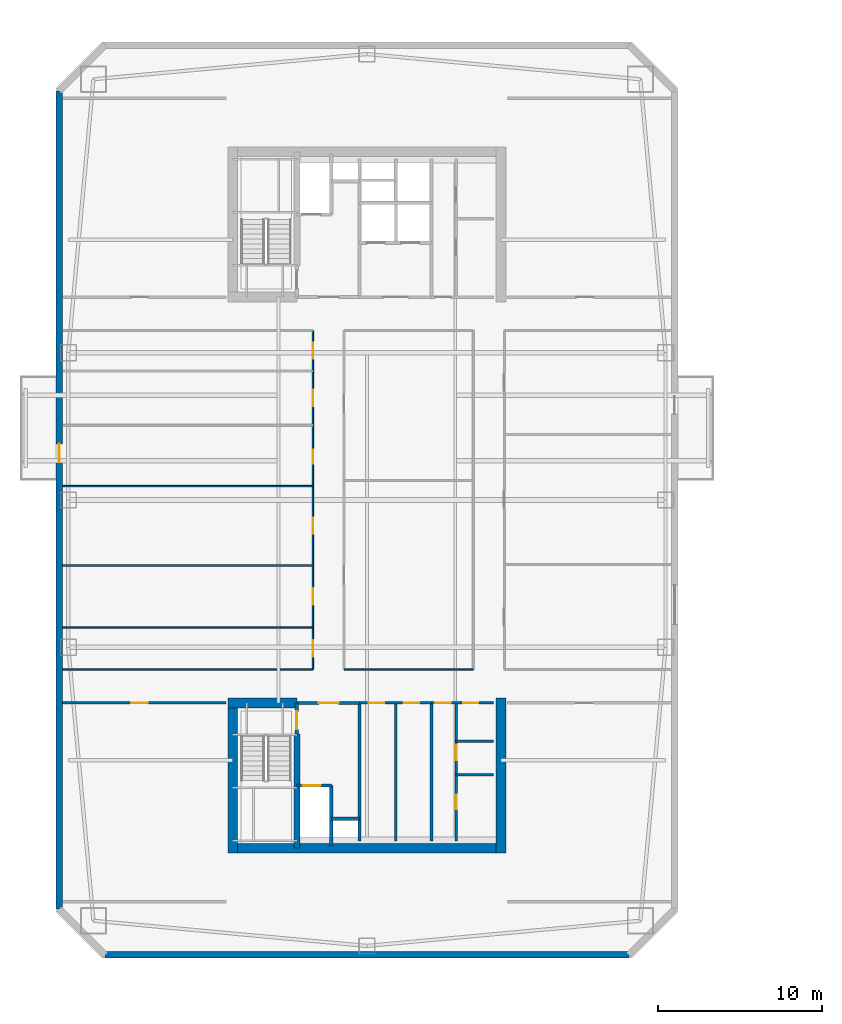
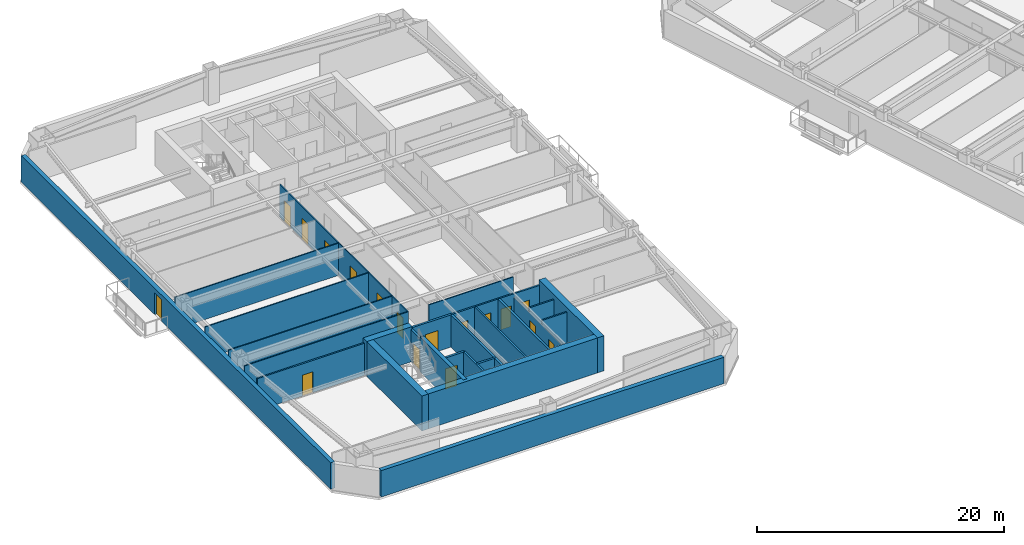
# One storey, part 4 of 15: 27 walls, 17 doors, 17 openings.
"""IFC4 building model written with IfcOpenShell, lengths in metres."""

from ifc_helpers import new_model, si_unit, direction, frame, frame_2d, origin, place, context, subcontext, project, spatial, rectangle, extrude, material, layer, layer_set, type_object, element, fill, save


model = new_model("IFC4")

# Units and contexts
model_context = context("Model", 3, precision=1e-05, world=origin(), true_north=direction((0.0, 1.0)))
body_context = subcontext(model_context, "Body", "Model", "MODEL_VIEW")
ifc_project = project(units=[si_unit("LENGTHUNIT", "METRE"), si_unit("AREAUNIT", "SQUARE_METRE"), si_unit("VOLUMEUNIT", "CUBIC_METRE"), si_unit("PLANEANGLEUNIT", "RADIAN"), si_unit("MASSUNIT", "GRAM", prefix="KILO")], contexts=[model_context])

# Site, building, storey
site_placement = place(None, origin())
site = spatial("IfcSite", under=ifc_project, at=site_placement, CompositionType="ELEMENT")
building_placement = place(site_placement, origin())
building = spatial("IfcBuilding", under=site, at=building_placement, Name="Qiaolan Cultural Towers", CompositionType="ELEMENT")
storey_placement = place(building_placement, frame((0.0, 0.0, 113.85009765625)))
storey = spatial("IfcBuildingStorey", under=building, at=storey_placement, Name="L29", CompositionType="ELEMENT", Elevation=113.85009765625)

# Walls
ifc_material_1 = material(Name="Concrete C50", Category="concrete")
ifc_layer_1 = layer(ifc_material_1, 0.35009765625)
ifc_layer_set_1 = layer_set([ifc_layer_1], Name="Concrete C50")
wall_type_1 = type_object("IfcWallType", Name="WL-CORE-350", PredefinedType="SHEAR", material=ifc_layer_set_1)
wall_1_placement = place(storey_placement, frame((25.719970703125, 19.699951171875, 0.0), z_axis=(0.0, 0.0, 1.0), x_axis=(0.0, -1.0, 0.0)))
element("IfcWall", 1, at=wall_1_placement, inside=storey, type_object=wall_type_1, Name="L29 T1-CS Stair Core Dividing Web", PredefinedType="SHEAR", context=body_context, shape_type="SweptSolid", body=[
    extrude(rectangle(XDim=6.97998046875, YDim=0.35009765625, at=frame_2d((3.489990234375, 0.0))), origin(), (0.0, 0.0, 1.0), 3.449951171875),
])
ifc_material_2 = material(Name="Concrete C55", Category="concrete")
ifc_layer_2 = layer(ifc_material_2, 0.60009765625)
ifc_layer_set_2 = layer_set([ifc_layer_2], Name="Concrete C55")
wall_type_2 = type_object("IfcWallType", Name="WL-CORE-600", PredefinedType="SHEAR", material=ifc_layer_set_2)
wall_2_placement = place(storey_placement, frame((21.5, 12.719970703125, 0.0), z_axis=(0.0, 0.0, 1.0), x_axis=(1.0, 0.0, 0.0)))
element("IfcWall", 2, at=wall_2_placement, inside=storey, type_object=wall_type_2, Name="L29 T1-CS Outer Core Shear Wall", PredefinedType="SHEAR", context=body_context, shape_type="SweptSolid", body=[
    extrude(rectangle(XDim=17.0, YDim=0.60009765625, at=frame_2d((8.5, 0.0))), origin(), (0.0, 0.0, 1.0), 3.449951171875),
])
for number, where, z_axis, x_axis, name in (
    (3, (21.800048828125, 21.89990234375, 0.0), (0.0, 0.0, 1.0), (0.0, -1.0, 0.0), "L29 T1-CS West Core Shear Wall"),
    (4, (38.199951171875, 21.89990234375, 0.0), (0.0, 0.0, 1.0), (0.0, -1.0, 0.0), "L29 T1-CS East Core Shear Wall"),
):
    element("IfcWall", number, at=place(storey_placement, frame(where, z_axis=z_axis, x_axis=x_axis)), inside=storey, type_object=wall_type_2, Name=name, PredefinedType="SHEAR", context=body_context, shape_type="SweptSolid", body=[
        extrude(rectangle(XDim=9.47998046875, YDim=0.60009765625, at=frame_2d((4.739990234375, 0.0))), origin(), (0.0, 0.0, 1.0), 3.449951171875),
    ])
wall_3_placement = place(storey_placement, frame((21.5, 21.60009765625, 0.0), z_axis=(0.0, 0.0, 1.0), x_axis=(1.0, 0.0, 0.0)))
element("IfcWall", 5, at=wall_3_placement, inside=storey, type_object=wall_type_2, Name="L29 T1-CS Stair Front Shear Wall", PredefinedType="SHEAR", context=body_context, shape_type="SweptSolid", body=[
    extrude(rectangle(XDim=4.219970703125, YDim=0.60009765625, at=frame_2d((2.10986328125, 0.0))), origin(), (0.0, 0.0, 1.0), 3.449951171875),
])

# Wall, opening, door
ifc_material_3 = material(Name="Precast Concrete C50 Honed Stone Pier", Category="masonry")
ifc_layer_3 = layer(ifc_material_3, 0.39990234375)
ifc_layer_set_3 = layer_set([ifc_layer_3], Name="Precast Concrete C50 Honed Stone Pier")
wall_type_3 = type_object("IfcWallType", Name="WL-EXT-PIER-400", PredefinedType="SOLIDWALL", material=ifc_layer_set_3)
wall_4_placement = place(storey_placement, frame((11.199951171875, 9.0, 0.0), z_axis=(0.0, 0.0, 1.0), x_axis=(0.0, 1.0, 0.0)))
wall_4 = element("IfcWall", 6, at=wall_4_placement, inside=storey, type_object=wall_type_3, Name="L29 West Tower Precast Pier Facade Wall F1", PredefinedType="SOLIDWALL", context=body_context, shape_type="SweptSolid", body=[
    extrude(rectangle(XDim=50.0, YDim=0.39990234375, at=frame_2d((25.0, 0.0))), origin(), (0.0, 0.0, 1.0), 2.60986328125),
])
opening_1_placement = place(wall_4_placement, frame((27.3359375, 0.0, 0.0)))
opening_1 = element("IfcOpeningElement", 7, at=opening_1_placement, cuts=wall_4, Name="Opening BD-01", PredefinedType="OPENING", context=body_context, shape_type="SweptSolid", body=[
    extrude(rectangle(XDim=1.10009765625, YDim=2.14990234375, at=frame_2d((0.550048828125, 1.074951171875))), frame((0.0, 0.2099609375, 0.0), z_axis=(0.0, -1.0, 0.0), x_axis=(1.0, 0.0, 0.0)), (0.0, 0.0, 1.0), 0.419921875),
])
ifc_material_4 = material(Name="Thermally Broken Aluminium Glazed Terrace Door", Category="aluminium")
door_type_1 = type_object("IfcDoorType", Name="DR-BAL-1100", OperationType="NOTDEFINED", PredefinedType="DOOR", material=ifc_material_4)
door_1_placement = place(opening_1_placement, origin())
door_1 = element("IfcDoor", 8, at=door_1_placement, inside=storey, type_object=door_type_1, Name="L29 T1 West Tree Balcony Door", OperationType="SINGLE_SWING_LEFT", OverallHeight=2.14990234375, OverallWidth=1.10009765625, PredefinedType="DOOR", context=body_context, shape_type="SweptSolid", body=[
    extrude(rectangle(XDim=1.10009765625, YDim=2.14990234375, at=frame_2d((0.550048828125, 1.074951171875))), frame((0.0, 0.02490234375, 0.0), z_axis=(0.0, -1.0, 0.0), x_axis=(1.0, 0.0, 0.0)), (0.0, 0.0, 1.0), 0.050048828125),
])
fill(opening_1, door_1)

# Wall
wall_5_placement = place(storey_placement, frame((46.0, 6.199951171875, 0.0), z_axis=(0.0, 0.0, 1.0), x_axis=(-1.0, 0.0, 0.0)))
element("IfcWall", 9, at=wall_5_placement, inside=storey, type_object=wall_type_3, Name="L29 West Tower Precast Pier Facade Wall F7", PredefinedType="SOLIDWALL", context=body_context, shape_type="SweptSolid", body=[
    extrude(rectangle(XDim=32.0, YDim=0.39990234375, at=frame_2d((16.0, 0.0))), origin(), (0.0, 0.0, 1.0), 2.60986328125),
])

# Wall, opening, door
ifc_material_5 = material(Name="Concrete C35 Fire Wall", Category="concrete")
ifc_layer_4 = layer(ifc_material_5, 0.199951171875)
ifc_layer_set_4 = layer_set([ifc_layer_4], Name="Concrete C35 Fire Wall")
wall_type_4 = type_object("IfcWallType", Name="WL-FIRE-200", PredefinedType="PARTITIONING", material=ifc_layer_set_4)
wall_6_placement = place(storey_placement, frame((25.719970703125, 21.60009765625, 0.0), z_axis=(0.0, 0.0, 1.0), x_axis=(0.0, -1.0, 0.0)))
wall_6 = element("IfcWall", 10, at=wall_6_placement, inside=storey, type_object=wall_type_4, Name="L29 T1-CS Smokeproof Stair Entry Wall", PredefinedType="PARTITIONING", context=body_context, shape_type="SweptSolid", body=[
    extrude(rectangle(XDim=1.900146484375, YDim=0.199951171875, at=frame_2d((0.9501953125, 0.0))), origin(), (0.0, 0.0, 1.0), 3.1748046875),
])
opening_2_placement = place(wall_6_placement, frame((0.52001953125, 0.0, 0.0)))
opening_2 = element("IfcOpeningElement", 11, at=opening_2_placement, cuts=wall_6, Name="Opening FD-04", PredefinedType="OPENING", context=body_context, shape_type="SweptSolid", body=[
    extrude(rectangle(XDim=1.10009765625, YDim=2.050048828125, at=frame_2d((0.550048828125, 1.02490234375))), frame((0.0, 0.10986328125, 0.0), z_axis=(0.0, -1.0, 0.0), x_axis=(1.0, 0.0, 0.0)), (0.0, 0.0, 1.0), 0.219970703125),
])
ifc_material_6 = material(Name="Galvanized Steel Command Fire Door", Category="steel")
door_type_2 = type_object("IfcDoorType", Name="DR-FD90-1100", OperationType="NOTDEFINED", PredefinedType="DOOR", material=ifc_material_6)
door_2_placement = place(opening_2_placement, origin())
door_2 = element("IfcDoor", 12, at=door_2_placement, inside=storey, type_object=door_type_2, Name="L29 ST-W1 Smokeproof Stair Fire Door", OperationType="SINGLE_SWING_LEFT", OverallHeight=2.050048828125, OverallWidth=1.10009765625, PredefinedType="DOOR", context=body_context, shape_type="SweptSolid", body=[
    extrude(rectangle(XDim=1.10009765625, YDim=2.050048828125, at=frame_2d((0.550048828125, 1.02490234375))), frame((0.0, 0.02490234375, 0.0), z_axis=(0.0, -1.0, 0.0), x_axis=(1.0, 0.0, 0.0)), (0.0, 0.0, 1.0), 0.050048828125),
])
fill(opening_2, door_2)

# Wall
wall_7_placement = place(storey_placement, frame((29.550048828125, 21.60009765625, 0.0), z_axis=(0.0, 0.0, 1.0), x_axis=(0.0, -1.0, 0.0)))
element("IfcWall", 13, at=wall_7_placement, inside=storey, type_object=wall_type_4, Name="L29 T1-CS Firefighting Zone Wall", PredefinedType="PARTITIONING", context=body_context, shape_type="SweptSolid", body=[
    extrude(rectangle(XDim=8.43017578125, YDim=0.199951171875, at=frame_2d((4.215087890625, 0.0))), origin(), (0.0, 0.0, 1.0), 3.1748046875),
])

# Wall, opening, door
wall_8_placement = place(storey_placement, frame((25.719970703125, 21.60009765625, 0.0), z_axis=(0.0, 0.0, 1.0), x_axis=(1.0, 0.0, 0.0)))
wall_8 = element("IfcWall", 14, at=wall_8_placement, inside=storey, type_object=wall_type_4, Name="L29 T1-CS Firefighting Lobby Front Wall", PredefinedType="PARTITIONING", context=body_context, shape_type="SweptSolid", body=[
    extrude(rectangle(XDim=3.830078125, YDim=0.199951171875, at=frame_2d((1.9150390625, 0.0))), origin(), (0.0, 0.0, 1.0), 3.1748046875),
])
opening_3_placement = place(wall_8_placement, frame((1.35009765625, 0.0, 0.0)))
opening_3 = element("IfcOpeningElement", 15, at=opening_3_placement, cuts=wall_8, Name="Opening FD-03", PredefinedType="OPENING", context=body_context, shape_type="SweptSolid", body=[
    extrude(rectangle(XDim=1.199951171875, YDim=2.050048828125, at=frame_2d((0.60009765625, 1.02490234375))), frame((0.0, 0.10986328125, 0.0), z_axis=(0.0, -1.0, 0.0), x_axis=(1.0, 0.0, 0.0)), (0.0, 0.0, 1.0), 0.219970703125),
])
ifc_material_7 = material(Name="Galvanized Steel Smokeproof Lobby Fire Door", Category="steel")
door_type_3 = type_object("IfcDoorType", Name="DR-FD90-1200", OperationType="NOTDEFINED", PredefinedType="DOOR", material=ifc_material_7)
door_3_placement = place(opening_3_placement, origin())
door_3 = element("IfcDoor", 16, at=door_3_placement, inside=storey, type_object=door_type_3, Name="L29 FFL-W1 Firefighting Lobby Fire Door", OperationType="SINGLE_SWING_LEFT", OverallHeight=2.050048828125, OverallWidth=1.199951171875, PredefinedType="DOOR", context=body_context, shape_type="SweptSolid", body=[
    extrude(rectangle(XDim=1.199951171875, YDim=2.050048828125, at=frame_2d((0.60009765625, 1.02490234375))), frame((0.0, 0.02490234375, 0.0), z_axis=(0.0, -1.0, 0.0), x_axis=(1.0, 0.0, 0.0)), (0.0, 0.0, 1.0), 0.050048828125),
])
fill(opening_3, door_3)

wall_9_placement = place(storey_placement, frame((25.719970703125, 16.550048828125, 0.0), z_axis=(0.0, 0.0, 1.0), x_axis=(1.0, 0.0, 0.0)))
wall_9 = element("IfcWall", 17, at=wall_9_placement, inside=storey, type_object=wall_type_4, Name="L29 T1-CS Firefighting Shaft Front Wall", PredefinedType="PARTITIONING", context=body_context, shape_type="SweptSolid", body=[
    extrude(rectangle(XDim=2.10009765625, YDim=0.199951171875, at=frame_2d((1.050048828125, 0.0))), origin(), (0.0, 0.0, 1.0), 3.1748046875),
])
opening_4_placement = place(wall_9_placement, frame((0.35009765625, 0.0, 0.0)))
opening_4 = element("IfcOpeningElement", 18, at=opening_4_placement, cuts=wall_9, Name="Opening LD-01", PredefinedType="OPENING", context=body_context, shape_type="SweptSolid", body=[
    extrude(rectangle(XDim=1.10009765625, YDim=2.050048828125, at=frame_2d((0.550048828125, 1.02490234375))), frame((0.0, 0.10986328125, 0.0), z_axis=(0.0, -1.0, 0.0), x_axis=(1.0, 0.0, 0.0)), (0.0, 0.0, 1.0), 0.219970703125),
])
ifc_material_8 = material(Name="Brushed Stainless Steel S30408 Centre-Parting Lift Landing Door", Category="steel")
door_type_4 = type_object("IfcDoorType", Name="DR-LIFT-1100", OperationType="NOTDEFINED", PredefinedType="DOOR", material=ifc_material_8)
door_4_placement = place(opening_4_placement, origin())
door_4 = element("IfcDoor", 19, at=door_4_placement, inside=storey, type_object=door_type_4, Name="L29 FFL-W1 Firefighting Lift Landing Door", OperationType="DOUBLE_DOOR_SLIDING", OverallHeight=2.050048828125, OverallWidth=1.10009765625, PredefinedType="DOOR", context=body_context, shape_type="SweptSolid", body=[
    extrude(rectangle(XDim=1.10009765625, YDim=2.050048828125, at=frame_2d((0.550048828125, 1.02490234375))), frame((0.0, 0.02490234375, 0.0), z_axis=(0.0, -1.0, 0.0), x_axis=(1.0, 0.0, 0.0)), (0.0, 0.0, 1.0), 0.050048828125),
])
fill(opening_4, door_4)

# Walls
wall_10_placement = place(storey_placement, frame((27.820068359375, 16.550048828125, 0.0), z_axis=(0.0, 0.0, 1.0), x_axis=(0.0, -1.0, 0.0)))
element("IfcWall", 20, at=wall_10_placement, inside=storey, type_object=wall_type_4, Name="L29 T1-CS Firefighting Hoistway East Wall", PredefinedType="PARTITIONING", context=body_context, shape_type="SweptSolid", body=[
    extrude(rectangle(XDim=3.699951171875, YDim=0.199951171875, at=frame_2d((1.85009765625, 0.0))), origin(), (0.0, 0.0, 1.0), 3.1748046875),
])
wall_11_placement = place(storey_placement, frame((27.820068359375, 14.52001953125, 0.0), z_axis=(0.0, 0.0, 1.0), x_axis=(1.0, 0.0, 0.0)))
element("IfcWall", 21, at=wall_11_placement, inside=storey, type_object=wall_type_4, Name="L29 T1-CS Pressurization Shaft Front Wall", PredefinedType="PARTITIONING", context=body_context, shape_type="SweptSolid", body=[
    extrude(rectangle(XDim=1.72998046875, YDim=0.199951171875, at=frame_2d((0.864990234375, 0.0))), origin(), (0.0, 0.0, 1.0), 3.1748046875),
])
wall_12_placement = place(storey_placement, frame((33.949951171875, 21.60009765625, 0.0), z_axis=(0.0, 0.0, 1.0), x_axis=(0.0, -1.0, 0.0)))
element("IfcWall", 22, at=wall_12_placement, inside=storey, type_object=wall_type_4, Name="L29 T1-CS Lift Core East Wall", PredefinedType="PARTITIONING", context=body_context, shape_type="SweptSolid", body=[
    extrude(rectangle(XDim=8.43017578125, YDim=0.199951171875, at=frame_2d((4.215087890625, 0.0))), origin(), (0.0, 0.0, 1.0), 3.1748046875),
])
ifc_material_9 = material(Name="Acoustic Double-Glazed Partition Frame", Category="glass")
ifc_layer_5 = layer(ifc_material_9, 0.10009765625)
ifc_layer_set_5 = layer_set([ifc_layer_5], Name="Acoustic Double-Glazed Partition Frame")
wall_type_5 = type_object("IfcWallType", Name="WL-GLAZED-100", PredefinedType="MOVABLE", material=ifc_layer_set_5)
wall_13_placement = place(storey_placement, frame((11.39990234375, 23.64990234375, 0.0), z_axis=(0.0, 0.0, 1.0), x_axis=(1.0, 0.0, 0.0)))
element("IfcWall", 23, at=wall_13_placement, inside=storey, type_object=wall_type_5, Name="L29 T1 Interior Wall", PredefinedType="MOVABLE", context=body_context, shape_type="SweptSolid", body=[
    extrude(rectangle(XDim=15.300048828125, YDim=0.10009765625, at=frame_2d((7.64990234375, 0.0))), origin(), (0.0, 0.0, 1.0), 3.1748046875),
])
wall_14_placement = place(storey_placement, frame((28.60009765625, 23.64990234375, 0.0), z_axis=(0.0, 0.0, 1.0), x_axis=(1.0, 0.0, 0.0)))
element("IfcWall", 24, at=wall_14_placement, inside=storey, type_object=wall_type_5, Name="L29 T1 Interior Wall", PredefinedType="MOVABLE", context=body_context, shape_type="SweptSolid", body=[
    extrude(rectangle(XDim=7.89990234375, YDim=0.10009765625, at=frame_2d((3.949951171875, 0.0))), origin(), (0.0, 0.0, 1.0), 3.1748046875),
])

# Wall, openings, doors
wall_15_placement = place(storey_placement, frame((26.699951171875, 23.64990234375, 0.0), z_axis=(0.0, 0.0, 1.0), x_axis=(0.0, 1.0, 0.0)))
wall_15 = element("IfcWall", 25, at=wall_15_placement, inside=storey, type_object=wall_type_5, Name="L29 T1 Interior Wall", PredefinedType="MOVABLE", context=body_context, shape_type="SweptSolid", body=[
    extrude(rectangle(XDim=20.7001953125, YDim=0.10009765625, at=frame_2d((10.35009765625, 0.0))), origin(), (0.0, 0.0, 1.0), 3.1748046875),
])
opening_5_placement = place(wall_15_placement, frame((0.77490234375, 0.0, 0.0)))
opening_5 = element("IfcOpeningElement", 26, at=opening_5_placement, cuts=wall_15, Name="Opening ID-04", PredefinedType="OPENING", context=body_context, shape_type="SweptSolid", body=[
    extrude(rectangle(XDim=1.0, YDim=2.050048828125, at=frame_2d((0.5, 1.02490234375))), frame((0.0, 0.06005859375, 0.0), z_axis=(0.0, -1.0, 0.0), x_axis=(1.0, 0.0, 0.0)), (0.0, 0.0, 1.0), 0.1201171875),
])
opening_6_placement = place(wall_15_placement, frame((3.949951171875, 0.0, 0.0)))
opening_6 = element("IfcOpeningElement", 27, at=opening_6_placement, cuts=wall_15, Name="Opening ID-04", PredefinedType="OPENING", context=body_context, shape_type="SweptSolid", body=[
    extrude(rectangle(XDim=1.0, YDim=2.050048828125, at=frame_2d((0.5, 1.02490234375))), frame((0.0, 0.06005859375, 0.0), z_axis=(0.0, -1.0, 0.0), x_axis=(1.0, 0.0, 0.0)), (0.0, 0.0, 1.0), 0.1201171875),
])
opening_7_placement = place(wall_15_placement, frame((8.27294921875, 0.0, 0.0)))
opening_7 = element("IfcOpeningElement", 28, at=opening_7_placement, cuts=wall_15, Name="Opening ID-04", PredefinedType="OPENING", context=body_context, shape_type="SweptSolid", body=[
    extrude(rectangle(XDim=1.0, YDim=2.050048828125, at=frame_2d((0.5, 1.02490234375))), frame((0.0, 0.06005859375, 0.0), z_axis=(0.0, -1.0, 0.0), x_axis=(1.0, 0.0, 0.0)), (0.0, 0.0, 1.0), 0.1201171875),
])
opening_8_placement = place(wall_15_placement, frame((12.55908203125, 0.0, 0.0)))
opening_8 = element("IfcOpeningElement", 29, at=opening_8_placement, cuts=wall_15, Name="Opening ID-09", PredefinedType="OPENING", context=body_context, shape_type="SweptSolid", body=[
    extrude(rectangle(XDim=0.85009765625, YDim=2.050048828125, at=frame_2d((0.425048828125, 1.02490234375))), frame((0.0, 0.06005859375, 0.0), z_axis=(0.0, -1.0, 0.0), x_axis=(1.0, 0.0, 0.0)), (0.0, 0.0, 1.0), 0.1201171875),
])
opening_9_placement = place(wall_15_placement, frame((16.077880859375, 0.0, 0.0)))
opening_9 = element("IfcOpeningElement", 30, at=opening_9_placement, cuts=wall_15, Name="Opening ID-04", PredefinedType="OPENING", context=body_context, shape_type="SweptSolid", body=[
    extrude(rectangle(XDim=1.0, YDim=2.050048828125, at=frame_2d((0.5, 1.02490234375))), frame((0.0, 0.06005859375, 0.0), z_axis=(0.0, -1.0, 0.0), x_axis=(1.0, 0.0, 0.0)), (0.0, 0.0, 1.0), 0.1201171875),
])
opening_10_placement = place(wall_15_placement, frame((18.967041015625, 0.0, 0.0)))
opening_10 = element("IfcOpeningElement", 31, at=opening_10_placement, cuts=wall_15, Name="Opening ID-04", PredefinedType="OPENING", context=body_context, shape_type="SweptSolid", body=[
    extrude(rectangle(XDim=1.0, YDim=2.050048828125, at=frame_2d((0.5, 1.02490234375))), frame((0.0, 0.06005859375, 0.0), z_axis=(0.0, -1.0, 0.0), x_axis=(1.0, 0.0, 0.0)), (0.0, 0.0, 1.0), 0.1201171875),
])
ifc_material_10 = material(Name="Oak Veneer Acoustic Office Door", Category="timber")
door_type_5 = type_object("IfcDoorType", Name="DR-INT-1000", OperationType="NOTDEFINED", PredefinedType="DOOR", material=ifc_material_10)
door_5_placement = place(opening_5_placement, origin())
door_5 = element("IfcDoor", 32, at=door_5_placement, inside=storey, type_object=door_type_5, Name="L29 T1 Advisory Office Door", OperationType="SINGLE_SWING_LEFT", OverallHeight=2.050048828125, OverallWidth=1.0, PredefinedType="DOOR", context=body_context, shape_type="SweptSolid", body=[
    extrude(rectangle(XDim=1.0, YDim=2.050048828125, at=frame_2d((0.5, 1.02490234375))), frame((0.0, 0.02490234375, 0.0), z_axis=(0.0, -1.0, 0.0), x_axis=(1.0, 0.0, 0.0)), (0.0, 0.0, 1.0), 0.050048828125),
])
fill(opening_5, door_5)
door_6_placement = place(opening_6_placement, origin())
door_6 = element("IfcDoor", 33, at=door_6_placement, inside=storey, type_object=door_type_5, Name="L29 T1 Advisory Office Door", OperationType="SINGLE_SWING_RIGHT", OverallHeight=2.050048828125, OverallWidth=1.0, PredefinedType="DOOR", context=body_context, shape_type="SweptSolid", body=[
    extrude(rectangle(XDim=1.0, YDim=2.050048828125, at=frame_2d((0.5, 1.02490234375))), frame((0.0, 0.02490234375, 0.0), z_axis=(0.0, -1.0, 0.0), x_axis=(1.0, 0.0, 0.0)), (0.0, 0.0, 1.0), 0.050048828125),
])
fill(opening_6, door_6)
door_7_placement = place(opening_7_placement, origin())
door_7 = element("IfcDoor", 34, at=door_7_placement, inside=storey, type_object=door_type_5, Name="L29 T1 Advisory Office Door", OperationType="SINGLE_SWING_LEFT", OverallHeight=2.050048828125, OverallWidth=1.0, PredefinedType="DOOR", context=body_context, shape_type="SweptSolid", body=[
    extrude(rectangle(XDim=1.0, YDim=2.050048828125, at=frame_2d((0.5, 1.02490234375))), frame((0.0, 0.02490234375, 0.0), z_axis=(0.0, -1.0, 0.0), x_axis=(1.0, 0.0, 0.0)), (0.0, 0.0, 1.0), 0.050048828125),
])
fill(opening_7, door_7)
door_8_placement = place(opening_9_placement, origin())
door_8 = element("IfcDoor", 35, at=door_8_placement, inside=storey, type_object=door_type_5, Name="L29 T1 Advisory Office Door", OperationType="SINGLE_SWING_LEFT", OverallHeight=2.050048828125, OverallWidth=1.0, PredefinedType="DOOR", context=body_context, shape_type="SweptSolid", body=[
    extrude(rectangle(XDim=1.0, YDim=2.050048828125, at=frame_2d((0.5, 1.02490234375))), frame((0.0, 0.02490234375, 0.0), z_axis=(0.0, -1.0, 0.0), x_axis=(1.0, 0.0, 0.0)), (0.0, 0.0, 1.0), 0.050048828125),
])
fill(opening_9, door_8)
door_9_placement = place(opening_10_placement, origin())
door_9 = element("IfcDoor", 36, at=door_9_placement, inside=storey, type_object=door_type_5, Name="L29 T1 Advisory Office Door", OperationType="SINGLE_SWING_RIGHT", OverallHeight=2.050048828125, OverallWidth=1.0, PredefinedType="DOOR", context=body_context, shape_type="SweptSolid", body=[
    extrude(rectangle(XDim=1.0, YDim=2.050048828125, at=frame_2d((0.5, 1.02490234375))), frame((0.0, 0.02490234375, 0.0), z_axis=(0.0, -1.0, 0.0), x_axis=(1.0, 0.0, 0.0)), (0.0, 0.0, 1.0), 0.050048828125),
])
fill(opening_10, door_9)
ifc_material_11 = material(Name="Moisture-Resistant Laminate Utility Door", Category="timber")
door_type_6 = type_object("IfcDoorType", Name="DR-INT-850", OperationType="NOTDEFINED", PredefinedType="DOOR", material=ifc_material_11)
door_10_placement = place(opening_8_placement, origin())
door_10 = element("IfcDoor", 37, at=door_10_placement, inside=storey, type_object=door_type_6, Name="L29 T1 Advisory Office Door", OperationType="SINGLE_SWING_RIGHT", OverallHeight=2.050048828125, OverallWidth=0.85009765625, PredefinedType="DOOR", context=body_context, shape_type="SweptSolid", body=[
    extrude(rectangle(XDim=0.85009765625, YDim=2.050048828125, at=frame_2d((0.425048828125, 1.02490234375))), frame((0.0, 0.02490234375, 0.0), z_axis=(0.0, -1.0, 0.0), x_axis=(1.0, 0.0, 0.0)), (0.0, 0.0, 1.0), 0.050048828125),
])
fill(opening_8, door_10)

# Walls
for number, where, z_axis, x_axis, name in (
    (38, (11.39990234375, 26.199951171875, 0.0), (0.0, 0.0, 1.0), (1.0, 0.0, 0.0), "L29 T1 Interior Wall"),
    (39, (11.39990234375, 30.0, 0.0), (0.0, 0.0, 1.0), (1.0, 0.0, 0.0), "L29 T1 Interior Wall"),
    (40, (11.39990234375, 34.845947265625, 0.0), (0.0, 0.0, 1.0), (1.0, 0.0, 0.0), "L29 T1 Interior Wall"),
):
    element("IfcWall", number, at=place(storey_placement, frame(where, z_axis=z_axis, x_axis=x_axis)), inside=storey, type_object=wall_type_5, Name=name, PredefinedType="MOVABLE", context=body_context, shape_type="SweptSolid", body=[
        extrude(rectangle(XDim=15.300048828125, YDim=0.10009765625, at=frame_2d((7.64990234375, 0.0))), origin(), (0.0, 0.0, 1.0), 3.1748046875),
    ])

# Wall, openings, doors
ifc_material_12 = material(Name="Autoclaved Aerated Concrete Block B06", Category="concrete")
ifc_layer_6 = layer(ifc_material_12, 0.14990234375)
ifc_layer_set_6 = layer_set([ifc_layer_6], Name="Autoclaved Aerated Concrete Block B06")
wall_type_6 = type_object("IfcWallType", Name="WL-PART-150", PredefinedType="PARTITIONING", material=ifc_layer_set_6)
wall_16_placement = place(storey_placement, frame((29.550048828125, 21.60009765625, 0.0), z_axis=(0.0, 0.0, 1.0), x_axis=(1.0, 0.0, 0.0)))
wall_16 = element("IfcWall", 41, at=wall_16_placement, inside=storey, type_object=wall_type_6, Name="L29 T1-CS Reclaimed Core Room Front Wall", PredefinedType="PARTITIONING", context=body_context, shape_type="SweptSolid", body=[
    extrude(rectangle(XDim=4.39990234375, YDim=0.14990234375, at=frame_2d((2.199951171875, 0.0))), origin(), (0.0, 0.0, 1.0), 3.1748046875),
])
opening_11_placement = place(wall_16_placement, frame((0.550048828125, 0.0, 0.0)))
opening_11 = element("IfcOpeningElement", 42, at=opening_11_placement, cuts=wall_16, Name="Opening ID-05", PredefinedType="OPENING", context=body_context, shape_type="SweptSolid", body=[
    extrude(rectangle(XDim=0.949951171875, YDim=2.050048828125, at=frame_2d((0.47509765625, 1.02490234375))), frame((0.0, 0.0849609375, 0.0), z_axis=(0.0, -1.0, 0.0), x_axis=(1.0, 0.0, 0.0)), (0.0, 0.0, 1.0), 0.169921875),
])
opening_12_placement = place(wall_16_placement, frame((2.699951171875, 0.0, 0.0)))
opening_12 = element("IfcOpeningElement", 43, at=opening_12_placement, cuts=wall_16, Name="Opening ID-05", PredefinedType="OPENING", context=body_context, shape_type="SweptSolid", body=[
    extrude(rectangle(XDim=0.949951171875, YDim=2.050048828125, at=frame_2d((0.47509765625, 1.02490234375))), frame((0.0, 0.0849609375, 0.0), z_axis=(0.0, -1.0, 0.0), x_axis=(1.0, 0.0, 0.0)), (0.0, 0.0, 1.0), 0.169921875),
])
ifc_material_13 = material(Name="Fire-Rated Laminate Accessible Core Door", Category="timber")
door_type_7 = type_object("IfcDoorType", Name="DR-INT-950", OperationType="NOTDEFINED", PredefinedType="DOOR", material=ifc_material_13)
door_11_placement = place(opening_11_placement, origin())
door_11 = element("IfcDoor", 44, at=door_11_placement, inside=storey, type_object=door_type_7, Name="L29 Copy Print Room Door", OperationType="SINGLE_SWING_LEFT", OverallHeight=2.050048828125, OverallWidth=0.949951171875, PredefinedType="DOOR", context=body_context, shape_type="SweptSolid", body=[
    extrude(rectangle(XDim=0.949951171875, YDim=2.050048828125, at=frame_2d((0.47509765625, 1.02490234375))), frame((0.0, 0.02490234375, 0.0), z_axis=(0.0, -1.0, 0.0), x_axis=(1.0, 0.0, 0.0)), (0.0, 0.0, 1.0), 0.050048828125),
])
fill(opening_11, door_11)
door_12_placement = place(opening_12_placement, origin())
door_12 = element("IfcDoor", 45, at=door_12_placement, inside=storey, type_object=door_type_7, Name="L29 Tea Pantry Room Door", OperationType="SINGLE_SWING_RIGHT", OverallHeight=2.050048828125, OverallWidth=0.949951171875, PredefinedType="DOOR", context=body_context, shape_type="SweptSolid", body=[
    extrude(rectangle(XDim=0.949951171875, YDim=2.050048828125, at=frame_2d((0.47509765625, 1.02490234375))), frame((0.0, 0.02490234375, 0.0), z_axis=(0.0, -1.0, 0.0), x_axis=(1.0, 0.0, 0.0)), (0.0, 0.0, 1.0), 0.050048828125),
])
fill(opening_12, door_12)

# Wall
wall_17_placement = place(storey_placement, frame((31.75, 21.60009765625, 0.0), z_axis=(0.0, 0.0, 1.0), x_axis=(0.0, -1.0, 0.0)))
element("IfcWall", 46, at=wall_17_placement, inside=storey, type_object=wall_type_6, Name="L29 T1-CS Reclaimed Twin Room Wall", PredefinedType="PARTITIONING", context=body_context, shape_type="SweptSolid", body=[
    extrude(rectangle(XDim=8.43017578125, YDim=0.14990234375, at=frame_2d((4.215087890625, 0.0))), origin(), (0.0, 0.0, 1.0), 3.1748046875),
])

# Wall, openings, doors
wall_18_placement = place(storey_placement, frame((33.949951171875, 21.60009765625, 0.0), z_axis=(0.0, 0.0, 1.0), x_axis=(1.0, 0.0, 0.0)))
wall_18 = element("IfcWall", 47, at=wall_18_placement, inside=storey, type_object=wall_type_6, Name="L29 T1-CS Sanitary Core Front Wall", PredefinedType="PARTITIONING", context=body_context, shape_type="SweptSolid", body=[
    extrude(rectangle(XDim=3.800048828125, YDim=0.14990234375, at=frame_2d((1.89990234375, 0.0))), origin(), (0.0, 0.0, 1.0), 3.1748046875),
])
opening_13_placement = place(wall_18_placement, frame((0.219970703125, 0.0, 0.0)))
opening_13 = element("IfcOpeningElement", 48, at=opening_13_placement, cuts=wall_18, Name="Opening ID-05", PredefinedType="OPENING", context=body_context, shape_type="SweptSolid", body=[
    extrude(rectangle(XDim=0.949951171875, YDim=2.050048828125, at=frame_2d((0.47509765625, 1.02490234375))), frame((0.0, 0.0849609375, 0.0), z_axis=(0.0, -1.0, 0.0), x_axis=(1.0, 0.0, 0.0)), (0.0, 0.0, 1.0), 0.169921875),
])
opening_14_placement = place(wall_18_placement, frame((1.949951171875, 0.0, 0.0)))
opening_14 = element("IfcOpeningElement", 49, at=opening_14_placement, cuts=wall_18, Name="Opening ID-06", PredefinedType="OPENING", context=body_context, shape_type="SweptSolid", body=[
    extrude(rectangle(XDim=0.89990234375, YDim=2.050048828125, at=frame_2d((0.449951171875, 1.02490234375))), frame((0.0, 0.0849609375, 0.0), z_axis=(0.0, -1.0, 0.0), x_axis=(1.0, 0.0, 0.0)), (0.0, 0.0, 1.0), 0.169921875),
])
ifc_material_14 = material(Name="Fire-Rated Laminate Core Service Door", Category="timber")
door_type_8 = type_object("IfcDoorType", Name="DR-INT-900", OperationType="NOTDEFINED", PredefinedType="DOOR", material=ifc_material_14)
door_13_placement = place(opening_14_placement, origin())
door_13 = element("IfcDoor", 50, at=door_13_placement, inside=storey, type_object=door_type_8, Name="L29 Core Tea Pantry Door", OperationType="SINGLE_SWING_RIGHT", OverallHeight=2.050048828125, OverallWidth=0.89990234375, PredefinedType="DOOR", context=body_context, shape_type="SweptSolid", body=[
    extrude(rectangle(XDim=0.89990234375, YDim=2.050048828125, at=frame_2d((0.449951171875, 1.02490234375))), frame((0.0, 0.02490234375, 0.0), z_axis=(0.0, -1.0, 0.0), x_axis=(1.0, 0.0, 0.0)), (0.0, 0.0, 1.0), 0.050048828125),
])
fill(opening_14, door_13)
door_14_placement = place(opening_13_placement, origin())
door_14 = element("IfcDoor", 51, at=door_14_placement, inside=storey, type_object=door_type_7, Name="L29 Sanitary Passage Door", OperationType="SINGLE_SWING_LEFT", OverallHeight=2.050048828125, OverallWidth=0.949951171875, PredefinedType="DOOR", context=body_context, shape_type="SweptSolid", body=[
    extrude(rectangle(XDim=0.949951171875, YDim=2.050048828125, at=frame_2d((0.47509765625, 1.02490234375))), frame((0.0, 0.02490234375, 0.0), z_axis=(0.0, -1.0, 0.0), x_axis=(1.0, 0.0, 0.0)), (0.0, 0.0, 1.0), 0.050048828125),
])
fill(opening_13, door_14)

wall_19_placement = place(storey_placement, frame((35.449951171875, 21.60009765625, 0.0), z_axis=(0.0, 0.0, 1.0), x_axis=(0.0, -1.0, 0.0)))
wall_19 = element("IfcWall", 52, at=wall_19_placement, inside=storey, type_object=wall_type_6, Name="L29 T1-CS Sanitary Corridor Wall", PredefinedType="PARTITIONING", context=body_context, shape_type="SweptSolid", body=[
    extrude(rectangle(XDim=8.43017578125, YDim=0.14990234375, at=frame_2d((4.215087890625, 0.0))), origin(), (0.0, 0.0, 1.0), 2.81494140625),
])
opening_15_placement = place(wall_19_placement, frame((2.550048828125, 0.0, 0.0)))
opening_15 = element("IfcOpeningElement", 53, at=opening_15_placement, cuts=wall_19, Name="Opening ID-05", PredefinedType="OPENING", context=body_context, shape_type="SweptSolid", body=[
    extrude(rectangle(XDim=0.949951171875, YDim=2.050048828125, at=frame_2d((0.47509765625, 1.02490234375))), frame((0.0, 0.0849609375, 0.0), z_axis=(0.0, -1.0, 0.0), x_axis=(1.0, 0.0, 0.0)), (0.0, 0.0, 1.0), 0.169921875),
])
opening_16_placement = place(wall_19_placement, frame((5.60009765625, 0.0, 0.0)))
opening_16 = element("IfcOpeningElement", 54, at=opening_16_placement, cuts=wall_19, Name="Opening ID-06", PredefinedType="OPENING", context=body_context, shape_type="SweptSolid", body=[
    extrude(rectangle(XDim=0.89990234375, YDim=2.050048828125, at=frame_2d((0.449951171875, 1.02490234375))), frame((0.0, 0.0849609375, 0.0), z_axis=(0.0, -1.0, 0.0), x_axis=(1.0, 0.0, 0.0)), (0.0, 0.0, 1.0), 0.169921875),
])
door_15_placement = place(opening_16_placement, origin())
door_15 = element("IfcDoor", 55, at=door_15_placement, inside=storey, type_object=door_type_8, Name="L29 Staff Restroom Door", OperationType="SINGLE_SWING_RIGHT", OverallHeight=2.050048828125, OverallWidth=0.89990234375, PredefinedType="DOOR", context=body_context, shape_type="SweptSolid", body=[
    extrude(rectangle(XDim=0.89990234375, YDim=2.050048828125, at=frame_2d((0.449951171875, 1.02490234375))), frame((0.0, 0.02490234375, 0.0), z_axis=(0.0, -1.0, 0.0), x_axis=(1.0, 0.0, 0.0)), (0.0, 0.0, 1.0), 0.050048828125),
])
fill(opening_16, door_15)
door_16_placement = place(opening_15_placement, origin())
door_16 = element("IfcDoor", 56, at=door_16_placement, inside=storey, type_object=door_type_7, Name="L29 Accessible Washroom Door", OperationType="SINGLE_SWING_LEFT", OverallHeight=2.050048828125, OverallWidth=0.949951171875, PredefinedType="DOOR", context=body_context, shape_type="SweptSolid", body=[
    extrude(rectangle(XDim=0.949951171875, YDim=2.050048828125, at=frame_2d((0.47509765625, 1.02490234375))), frame((0.0, 0.02490234375, 0.0), z_axis=(0.0, -1.0, 0.0), x_axis=(1.0, 0.0, 0.0)), (0.0, 0.0, 1.0), 0.050048828125),
])
fill(opening_15, door_16)

# Walls
for number, where, z_axis, x_axis, name in (
    (57, (35.449951171875, 17.199951171875, 0.0), (0.0, 0.0, 1.0), (1.0, 0.0, 0.0), "L29 T1-CS Restroom Split Wall"),
    (58, (35.449951171875, 19.25, 0.0), (0.0, 0.0, 1.0), (1.0, 0.0, 0.0), "L29 T1-CS Core Pantry Wall"),
):
    element("IfcWall", number, at=place(storey_placement, frame(where, z_axis=z_axis, x_axis=x_axis)), inside=storey, type_object=wall_type_6, Name=name, PredefinedType="PARTITIONING", context=body_context, shape_type="SweptSolid", body=[
        extrude(rectangle(XDim=2.300048828125, YDim=0.14990234375, at=frame_2d((1.14990234375, 0.0))), origin(), (0.0, 0.0, 1.0), 3.1748046875),
    ])

# Wall, opening, door
wall_20_placement = place(storey_placement, frame((11.39990234375, 21.60009765625, 0.0), z_axis=(0.0, 0.0, 1.0), x_axis=(1.0, 0.0, 0.0)))
wall_20 = element("IfcWall", 59, at=wall_20_placement, inside=storey, type_object=wall_type_6, Name="L29 T1 Flank Front FLK-SW", PredefinedType="PARTITIONING", context=body_context, shape_type="SweptSolid", body=[
    extrude(rectangle(XDim=10.0, YDim=0.14990234375, at=frame_2d((5.0, 0.0))), origin(), (0.0, 0.0, 1.0), 3.1748046875),
])
opening_17_placement = place(wall_20_placement, frame((4.199951171875, 0.0, 0.0)))
opening_17 = element("IfcOpeningElement", 60, at=opening_17_placement, cuts=wall_20, Name="Opening ID-04", PredefinedType="OPENING", context=body_context, shape_type="SweptSolid", body=[
    extrude(rectangle(XDim=1.0, YDim=2.050048828125, at=frame_2d((0.5, 1.02490234375))), frame((0.0, 0.0849609375, 0.0), z_axis=(0.0, -1.0, 0.0), x_axis=(1.0, 0.0, 0.0)), (0.0, 0.0, 1.0), 0.169921875),
])
door_17_placement = place(opening_17_placement, origin())
door_17 = element("IfcDoor", 61, at=door_17_placement, inside=storey, type_object=door_type_5, Name="L29 T1 Corner Studio Door", OperationType="SINGLE_SWING_LEFT", OverallHeight=2.050048828125, OverallWidth=1.0, PredefinedType="DOOR", context=body_context, shape_type="SweptSolid", body=[
    extrude(rectangle(XDim=1.0, YDim=2.050048828125, at=frame_2d((0.5, 1.02490234375))), frame((0.0, 0.02490234375, 0.0), z_axis=(0.0, -1.0, 0.0), x_axis=(1.0, 0.0, 0.0)), (0.0, 0.0, 1.0), 0.050048828125),
])
fill(opening_17, door_17)

save(model, "model.ifc")
